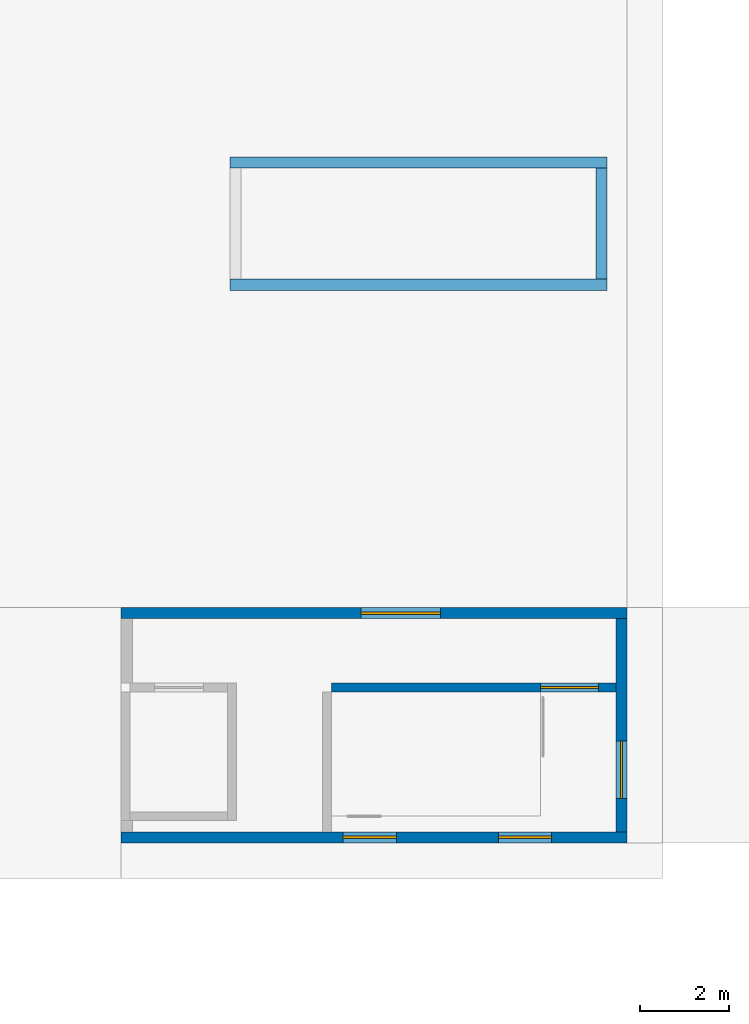
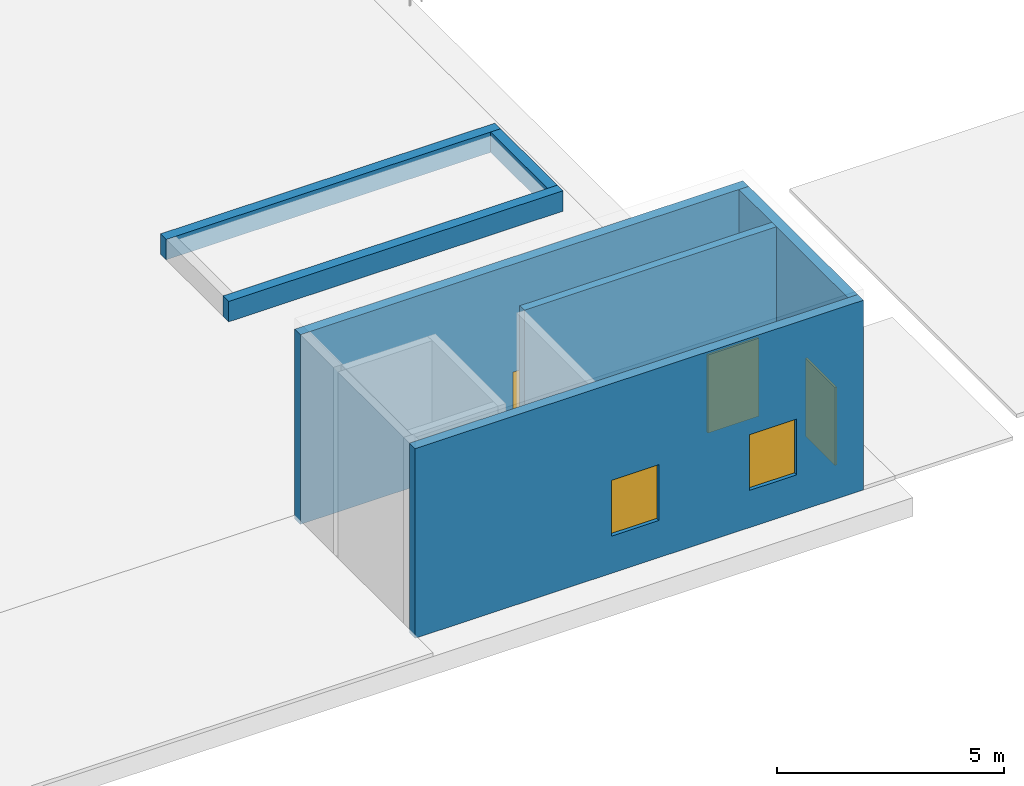
# One storey, part 28 of 60: 7 walls, 3 doors, 2 windows, 5 openings.
"""IFC4 building model written with IfcOpenShell, lengths in metres."""

from ifc_helpers import new_model, si_unit, direction, frame, frame_2d, origin, place, context, subcontext, project, spatial, rectangle, extrude, material, layer, layer_set, type_object, element, fill, save


model = new_model("IFC4")

# Units and contexts
model_context = context("Model", 3, precision=1e-05, world=origin(), true_north=direction((0.0, 1.0)))
body_context = subcontext(model_context, "Body", "Model", "MODEL_VIEW")
ifc_project = project(units=[si_unit("LENGTHUNIT", "METRE"), si_unit("AREAUNIT", "SQUARE_METRE"), si_unit("VOLUMEUNIT", "CUBIC_METRE"), si_unit("PLANEANGLEUNIT", "RADIAN"), si_unit("MASSUNIT", "GRAM", prefix="KILO")], contexts=[model_context])

# Site, building, storey
site_placement = place(None, origin())
site = spatial("IfcSite", under=ifc_project, at=site_placement, CompositionType="ELEMENT")
building_placement = place(site_placement, origin())
building = spatial("IfcBuilding", under=site, at=building_placement, Name="Stone Belt Terrace Tower", CompositionType="ELEMENT")
storey_placement = place(building_placement, origin())
storey = spatial("IfcBuildingStorey", under=building, at=storey_placement, Name="L00", CompositionType="ELEMENT", Elevation=0.0)

# Wall, opening, door
ifc_material_1 = material(Name="Concrete B30", Category="concrete")
ifc_layer_1 = layer(ifc_material_1, 0.199951171875)
ifc_layer_set_1 = layer_set([ifc_layer_1], Name="Car park core wall 200 variant B")
wall_type_1 = type_object("IfcWallType", Name="Car park core wall 200 variant B", PredefinedType="SOLIDWALL", material=ifc_layer_set_1)
wall_1_placement = place(storey_placement, frame((26.0400390625, -47.199951171875, -0.10009765625), z_axis=(0.0, 0.0, 1.0), x_axis=(1.0, 0.0, 0.0)))
wall_1 = element("IfcWall", 1, at=wall_1_placement, inside=storey, type_object=wall_type_1, Name="Car park stair 2 wall", PredefinedType="SOLIDWALL", context=body_context, shape_type="SweptSolid", body=[
    extrude(rectangle(XDim=6.409912109375, YDim=0.199951171875, at=frame_2d((3.205078125, 0.0))), origin(), (0.0, 0.0, 1.0), 5.10009765625),
])
opening_1_placement = place(wall_1_placement, frame((4.7099609375, 0.0, 0.10009765625)))
opening_1 = element("IfcOpeningElement", 2, at=opening_1_placement, cuts=wall_1, Name="Opening L00-S12", PredefinedType="OPENING", context=body_context, shape_type="SweptSolid", body=[
    extrude(rectangle(XDim=1.300048828125, YDim=2.10009765625, at=frame_2d((0.64990234375, 1.050048828125))), frame((0.0, 0.10986328125, 0.0), z_axis=(0.0, -1.0, 0.0), x_axis=(1.0, 0.0, 0.0)), (0.0, 0.0, 1.0), 0.219970703125),
])
ifc_material_2 = material(Name="Steel door leaf", Category="steel")
door_type_1 = type_object("IfcDoorType", Name="Core door 1300 fire rated", OperationType="NOTDEFINED", PredefinedType="DOOR", material=ifc_material_2)
door_1_placement = place(opening_1_placement, origin())
door_1 = element("IfcDoor", 3, at=door_1_placement, inside=storey, type_object=door_type_1, Name="Stair 2 door", OperationType="SINGLE_SWING_RIGHT", OverallHeight=2.10009765625, OverallWidth=1.300048828125, PredefinedType="DOOR", context=body_context, shape_type="SweptSolid", body=[
    extrude(rectangle(XDim=1.300048828125, YDim=2.10009765625, at=frame_2d((0.64990234375, 1.050048828125))), frame((0.0, 0.02490234375, 0.0), z_axis=(0.0, -1.0, 0.0), x_axis=(1.0, 0.0, 0.0)), (0.0, 0.0, 1.0), 0.050048828125),
])
fill(opening_1, door_1)

# Wall, openings, windows
ifc_material_3 = material(Name="Blockwork", Category="masonry")
ifc_layer_2 = layer(ifc_material_3, 0.25)
ifc_layer_set_2 = layer_set([ifc_layer_2], Name="Car park head house wall 250")
wall_type_2 = type_object("IfcWallType", Name="Car park head house wall 250", PredefinedType="STANDARD", material=ifc_layer_set_2)
wall_2_placement = place(storey_placement, frame((21.300048828125, -50.574951171875, -0.10009765625), z_axis=(0.0, 0.0, 1.0), x_axis=(1.0, 0.0, 0.0)))
wall_2 = element("IfcWall", 4, at=wall_2_placement, inside=storey, type_object=wall_type_2, Name="Car park stair and lift house 2 wall", PredefinedType="STANDARD", context=body_context, shape_type="SweptSolid", body=[
    extrude(rectangle(XDim=11.39990234375, YDim=0.25, at=frame_2d((5.699951171875, 0.0))), origin(), (0.0, 0.0, 1.0), 5.10009765625),
])
opening_2_placement = place(wall_2_placement, frame((8.5, 0.0, 1.0)))
opening_2 = element("IfcOpeningElement", 5, at=opening_2_placement, cuts=wall_2, Name="Opening CPW8", PredefinedType="OPENING", context=body_context, shape_type="SweptSolid", body=[
    extrude(rectangle(XDim=1.199951171875, YDim=1.5, at=frame_2d((0.60009765625, 0.75))), frame((0.0, 0.135009765625, 0.0), z_axis=(0.0, -1.0, 0.0), x_axis=(1.0, 0.0, 0.0)), (0.0, 0.0, 1.0), 0.27001953125),
])
opening_3_placement = place(wall_2_placement, frame((5.0, 0.0, 1.0)))
opening_3 = element("IfcOpeningElement", 6, at=opening_3_placement, cuts=wall_2, Name="Opening CPW8", PredefinedType="OPENING", context=body_context, shape_type="SweptSolid", body=[
    extrude(rectangle(XDim=1.199951171875, YDim=1.5, at=frame_2d((0.60009765625, 0.75))), frame((0.0, 0.135009765625, 0.0), z_axis=(0.0, -1.0, 0.0), x_axis=(1.0, 0.0, 0.0)), (0.0, 0.0, 1.0), 0.27001953125),
])
ifc_material_4 = material(Name="Glass in aluminium frame", Category="aluminium")
window_type = type_object("IfcWindowType", Name="Head house window 1200 x 1500", PartitioningType="SINGLE_PANEL", PredefinedType="WINDOW", material=ifc_material_4)
window_1_placement = place(opening_2_placement, origin())
window_1 = element("IfcWindow", 7, at=window_1_placement, inside=storey, type_object=window_type, Name="Car park stair and lift house 2 window", OverallHeight=1.5, OverallWidth=1.199951171875, PartitioningType="SINGLE_PANEL", PredefinedType="WINDOW", context=body_context, shape_type="SweptSolid", body=[
    extrude(rectangle(XDim=1.199951171875, YDim=1.5, at=frame_2d((0.60009765625, 0.75))), frame((0.0, 0.030029296875, 0.0), z_axis=(0.0, -1.0, 0.0), x_axis=(1.0, 0.0, 0.0)), (0.0, 0.0, 1.0), 0.06005859375),
])
fill(opening_2, window_1)
window_2_placement = place(opening_3_placement, origin())
window_2 = element("IfcWindow", 8, at=window_2_placement, inside=storey, type_object=window_type, Name="Car park stair and lift house 2 window", OverallHeight=1.5, OverallWidth=1.199951171875, PartitioningType="SINGLE_PANEL", PredefinedType="WINDOW", context=body_context, shape_type="SweptSolid", body=[
    extrude(rectangle(XDim=1.199951171875, YDim=1.5, at=frame_2d((0.60009765625, 0.75))), frame((0.0, 0.030029296875, 0.0), z_axis=(0.0, -1.0, 0.0), x_axis=(1.0, 0.0, 0.0)), (0.0, 0.0, 1.0), 0.06005859375),
])
fill(opening_3, window_2)

# Wall, opening, door
wall_3_placement = place(storey_placement, frame((32.574951171875, -45.64990234375, -0.10009765625), z_axis=(0.0, 0.0, 1.0), x_axis=(0.0, -1.0, 0.0)))
wall_3 = element("IfcWall", 9, at=wall_3_placement, inside=storey, type_object=wall_type_2, Name="Car park stair and lift house 2 wall", PredefinedType="STANDARD", context=body_context, shape_type="SweptSolid", body=[
    extrude(rectangle(XDim=4.800048828125, YDim=0.25, at=frame_2d((2.39990234375, 0.0))), origin(), (0.0, 0.0, 1.0), 5.10009765625),
])
opening_4_placement = place(wall_3_placement, frame((2.75, 0.0, 0.10009765625)))
opening_4 = element("IfcOpeningElement", 10, at=opening_4_placement, cuts=wall_3, Name="Opening L00-S11", PredefinedType="OPENING", context=body_context, shape_type="SweptSolid", body=[
    extrude(rectangle(XDim=1.300048828125, YDim=2.10009765625, at=frame_2d((0.64990234375, 1.050048828125))), frame((0.0, 0.135009765625, 0.0), z_axis=(0.0, -1.0, 0.0), x_axis=(1.0, 0.0, 0.0)), (0.0, 0.0, 1.0), 0.27001953125),
])
door_2_placement = place(opening_4_placement, origin())
door_2 = element("IfcDoor", 11, at=door_2_placement, inside=storey, type_object=door_type_1, Name="Car park stair and lift house 2 garden exit", OperationType="SINGLE_SWING_RIGHT", OverallHeight=2.10009765625, OverallWidth=1.300048828125, PredefinedType="DOOR", context=body_context, shape_type="SweptSolid", body=[
    extrude(rectangle(XDim=1.300048828125, YDim=2.10009765625, at=frame_2d((0.64990234375, 1.050048828125))), frame((0.0, 0.02490234375, 0.0), z_axis=(0.0, -1.0, 0.0), x_axis=(1.0, 0.0, 0.0)), (0.0, 0.0, 1.0), 0.050048828125),
])
fill(opening_4, door_2)

wall_4_placement = place(storey_placement, frame((21.300048828125, -45.52490234375, -0.10009765625), z_axis=(0.0, 0.0, 1.0), x_axis=(1.0, 0.0, 0.0)))
wall_4 = element("IfcWall", 12, at=wall_4_placement, inside=storey, type_object=wall_type_2, Name="Car park stair and lift house 2 front wall", PredefinedType="STANDARD", context=body_context, shape_type="SweptSolid", body=[
    extrude(rectangle(XDim=11.39990234375, YDim=0.25, at=frame_2d((5.699951171875, 0.0))), origin(), (0.0, 0.0, 1.0), 5.10009765625),
])
opening_5_placement = place(wall_4_placement, frame((5.39990234375, 0.0, 0.10009765625)))
opening_5 = element("IfcOpeningElement", 13, at=opening_5_placement, cuts=wall_4, Name="Opening L00-S13", PredefinedType="OPENING", context=body_context, shape_type="SweptSolid", body=[
    extrude(rectangle(XDim=1.800048828125, YDim=2.10009765625, at=frame_2d((0.89990234375, 1.050048828125))), frame((0.0, 0.135009765625, 0.0), z_axis=(0.0, -1.0, 0.0), x_axis=(1.0, 0.0, 0.0)), (0.0, 0.0, 1.0), 0.27001953125),
])
door_type_2 = type_object("IfcDoorType", Name="Corridor door pair 1800", OperationType="DOUBLE_DOOR_DOUBLE_SWING", PredefinedType="DOOR", material=ifc_material_2)
door_3_placement = place(opening_5_placement, origin())
door_3 = element("IfcDoor", 14, at=door_3_placement, inside=storey, type_object=door_type_2, Name="Car park stair and lift house 2 entrance", OperationType="SINGLE_SWING_LEFT", OverallHeight=2.10009765625, OverallWidth=1.800048828125, PredefinedType="DOOR", context=body_context, shape_type="SweptSolid", body=[
    extrude(rectangle(XDim=1.800048828125, YDim=2.10009765625, at=frame_2d((0.89990234375, 1.050048828125))), frame((0.0, 0.02490234375, 0.0), z_axis=(0.0, -1.0, 0.0), x_axis=(1.0, 0.0, 0.0)), (0.0, 0.0, 1.0), 0.050048828125),
])
fill(opening_5, door_3)

# Walls
ifc_material_5 = material(Name="Concrete B25", Category="concrete")
ifc_layer_3 = layer(ifc_material_5, 0.25)
ifc_layer_set_3 = layer_set([ifc_layer_3], Name="PLANTER kerb 250")
wall_type_3 = type_object("IfcWallType", Name="PLANTER kerb 250", PredefinedType="STANDARD", material=ifc_layer_set_3)
for number, where, z_axis, x_axis, name in (
    (15, (23.75, -38.125, 0.0), (0.0, 0.0, 1.0), (1.0, 0.0, 0.0), "PLANTER 10 kerb"),
    (16, (23.75, -35.375, 0.0), (0.0, 0.0, 1.0), (1.0, 0.0, 0.0), "PLANTER 10 kerb"),
):
    element("IfcWall", number, at=place(storey_placement, frame(where, z_axis=z_axis, x_axis=x_axis)), inside=storey, type_object=wall_type_3, Name=name, PredefinedType="STANDARD", context=body_context, shape_type="SweptSolid", body=[
        extrude(rectangle(XDim=8.5, YDim=0.25, at=frame_2d((4.25, 0.0))), origin(), (0.0, 0.0, 1.0), 0.550048828125),
    ])
wall_5_placement = place(storey_placement, frame((32.125, -38.0, 0.0), z_axis=(0.0, 0.0, 1.0), x_axis=(0.0, 1.0, 0.0)))
element("IfcWall", 17, at=wall_5_placement, inside=storey, type_object=wall_type_3, Name="PLANTER 10 kerb", PredefinedType="STANDARD", context=body_context, shape_type="SweptSolid", body=[
    extrude(rectangle(XDim=2.5, YDim=0.25, at=frame_2d((1.25, 0.0))), origin(), (0.0, 0.0, 1.0), 0.550048828125),
])

save(model, "model.ifc")
